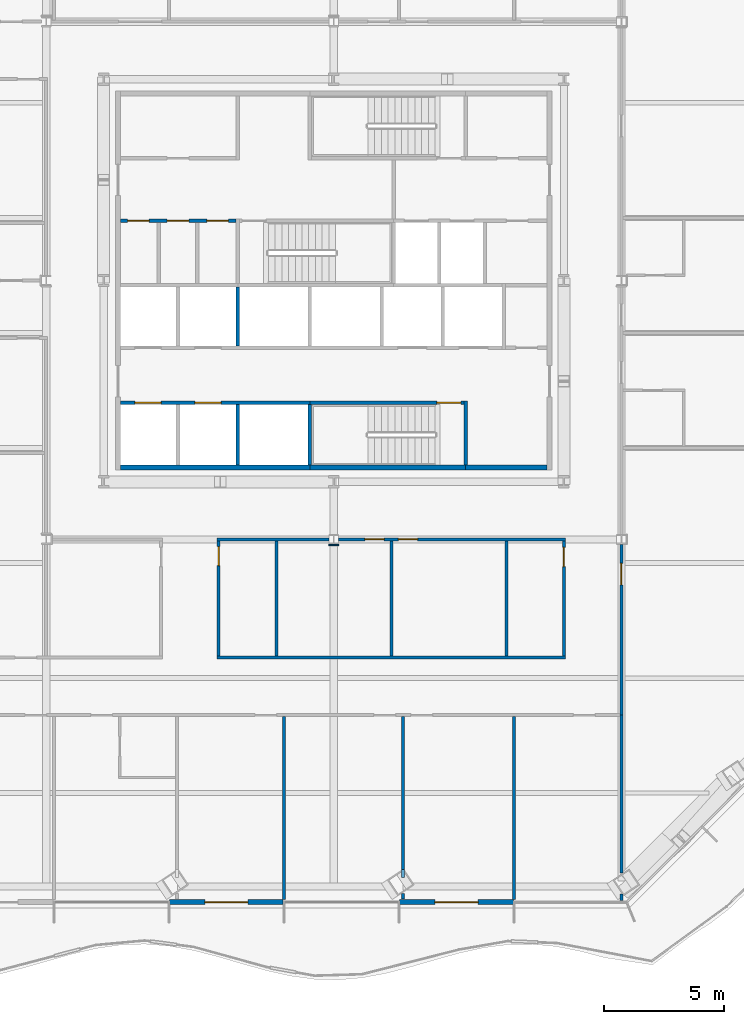
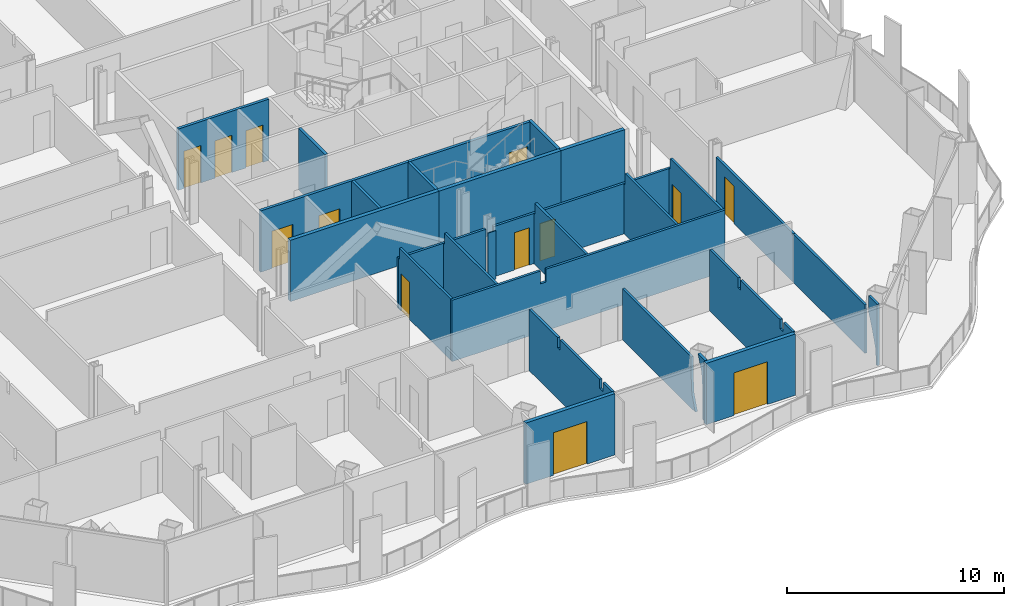
# One storey, part 8 of 19: 28 walls, 13 doors, 13 openings.
"""IFC4 building model written with IfcOpenShell, lengths in metres."""

import ifcopenshell
import ifcopenshell.guid

model = None  # the IFC model being written
_history = None  # IfcOwnerHistory: only IFC2X3 demands one
_inside = {}  # id of a spatial element -> (the spatial element, [elements in it])
_under = {}  # id of a project, library or spatial element -> (it, [spatial elements below it])
_declared = {}  # id of a project -> (the project, [libraries it declares])
_typed = {}  # id of a type object -> (the type object, [elements of that type])
_made_of = {}  # id of a material, layer set ... -> (it, [elements and type objects made of it])


def new_model(schema):
    """Start an empty IFC model of exactly this schema.

    Asked for "IFC4X3", IfcOpenShell would pick the latest addendum, in which some entities
    have other attributes; the version numbers below select the first issue.
    IFC2X3 requires an IfcOwnerHistory on every rooted entity: one is made here for all.
    """
    global model, _history
    if schema == "IFC4X3":
        model = ifcopenshell.file(schema_version=(4, 3, 0, 0))
    else:
        model = ifcopenshell.file(schema=schema)
    _inside.clear()
    _under.clear()
    _declared.clear()
    _typed.clear()
    _made_of.clear()
    _history = None
    if model.schema == "IFC2X3":
        org = make("IfcOrganization", Name="unknown")
        user = make(
            "IfcPersonAndOrganization",
            ThePerson=make("IfcPerson", FamilyName="unknown"),
            TheOrganization=org,
        )
        app = make(
            "IfcApplication",
            ApplicationDeveloper=org,
            Version="unknown",
            ApplicationFullName="unknown",
            ApplicationIdentifier="unknown",
        )
        _history = make(
            "IfcOwnerHistory",
            OwningUser=user,
            OwningApplication=app,
            ChangeAction="ADDED",
            CreationDate=0,
        )
    return model


def make(cls, **values):
    """One entity of the class cls with the attributes given. An attribute that is None is left unset."""
    return model.create_entity(
        cls, **{name: value for name, value in values.items() if value is not None}
    )


def rooted(cls, **values):
    """An entity with a GlobalId (a new one), such as an element, a storey or a relation."""
    return make(cls, GlobalId=ifcopenshell.guid.new(), OwnerHistory=_history, **values)


def si_unit(unit_type, name, prefix=None):
    """IfcSIUnit, for example si_unit("LENGTHUNIT", "METRE", prefix="MILLI")."""
    return make("IfcSIUnit", UnitType=unit_type, Prefix=prefix, Name=name)


def assignment(units):
    """IfcUnitAssignment: the units of a project."""
    return None if units is None else make("IfcUnitAssignment", Units=units)


def point(xyz):
    """IfcCartesianPoint."""
    return None if xyz is None else make("IfcCartesianPoint", Coordinates=xyz)


def direction(xyz):
    """IfcDirection."""
    return None if xyz is None else make("IfcDirection", DirectionRatios=xyz)


def frame(location, z_axis=None, x_axis=None):
    """IfcAxis2Placement3D, a coordinate frame: its origin and axes. An axis left out is left unset."""
    return make(
        "IfcAxis2Placement3D",
        Location=point(location),
        Axis=direction(z_axis),
        RefDirection=direction(x_axis),
    )


def frame_2d(location, x_axis=None):
    """IfcAxis2Placement2D, a coordinate frame in the plane: its origin and x axis."""
    return make(
        "IfcAxis2Placement2D", Location=point(location), RefDirection=direction(x_axis)
    )


def origin():
    """The frame at (0, 0, 0) with its axes left unset."""
    return frame((0.0, 0.0, 0.0))


def place(relative_to, where):
    """IfcLocalPlacement: puts the frame where relative to a parent placement (None: the world)."""
    return make(
        "IfcLocalPlacement", PlacementRelTo=relative_to, RelativePlacement=where
    )


def context(
    kind, dimensions, precision=None, world=None, true_north=None, identifier=None
):
    """IfcGeometricRepresentationContext, for example the 3D "Model" context."""
    return make(
        "IfcGeometricRepresentationContext",
        ContextIdentifier=identifier,
        ContextType=kind,
        CoordinateSpaceDimension=dimensions,
        Precision=precision,
        WorldCoordinateSystem=world,
        TrueNorth=true_north,
    )


def subcontext(parent, identifier, kind, view, scale=None):
    """IfcGeometricRepresentationSubContext, for example "Body" below "Model"."""
    return make(
        "IfcGeometricRepresentationSubContext",
        ContextIdentifier=identifier,
        ContextType=kind,
        ParentContext=parent,
        TargetScale=scale,
        TargetView=view,
    )


def project(units=None, contexts=None):
    """IfcProject with its units and contexts."""
    return rooted(
        "IfcProject",
        Name="project",
        RepresentationContexts=contexts,
        UnitsInContext=assignment(units),
    )


def spatial(cls, under=None, at=None, **own):
    """A site, building, storey or space (cls), placed at a placement, below another one or the project."""
    s = rooted(cls, ObjectPlacement=at, **own)
    if under is not None:
        _under.setdefault(under.id(), (under, []))[1].append(s)
    return s


def polyline(points):
    """IfcPolyline through the points."""
    return make("IfcPolyline", Points=[point(p) for p in points])


def profile(cls, at=None, kind="AREA", **sizes):
    """A parametric profile (cls). Its sizes go by their IFC names, for example OverallWidth=200.0."""
    return make(cls, ProfileType=kind, Position=at, **sizes)


def rectangle(**sizes):
    """IfcRectangleProfileDef."""
    return profile("IfcRectangleProfileDef", **sizes)


def outline(outer, holes=None, kind="AREA"):
    """IfcArbitraryClosedProfileDef: a profile drawn as a closed curve; with holes, ...WithVoids."""
    if holes is None:
        return make("IfcArbitraryClosedProfileDef", ProfileType=kind, OuterCurve=outer)
    return make(
        "IfcArbitraryProfileDefWithVoids",
        ProfileType=kind,
        OuterCurve=outer,
        InnerCurves=holes,
    )


def extrude(swept, where, along, depth):
    """IfcExtrudedAreaSolid: the profile swept, set in the frame where, extruded along a direction by depth."""
    return make(
        "IfcExtrudedAreaSolid",
        SweptArea=swept,
        Position=where,
        ExtrudedDirection=direction(along),
        Depth=depth,
    )


def shape(context_of_items, identifier, shape_type, items):
    """IfcShapeRepresentation: the items that make up one representation, for example the "Body"."""
    return make(
        "IfcShapeRepresentation",
        ContextOfItems=context_of_items,
        RepresentationIdentifier=identifier,
        RepresentationType=shape_type,
        Items=items,
    )


def material(Name=None, Category=None):
    """IfcMaterial."""
    return make("IfcMaterial", Name=Name, Category=Category)


def layer(
    of_material, thickness, ventilated=None, Name=None, Category=None, Priority=None
):
    """IfcMaterialLayer: one layer of a wall or slab, of a material (None: an air gap)."""
    return make(
        "IfcMaterialLayer",
        Material=of_material,
        LayerThickness=thickness,
        IsVentilated=ventilated,
        Name=Name,
        Category=Category,
        Priority=Priority,
    )


def layer_set(layers, Name=None):
    """IfcMaterialLayerSet."""
    return make("IfcMaterialLayerSet", MaterialLayers=layers, LayerSetName=Name)


def made_of(thing, what):
    """Note that an element or type object is made of a material, layer set ...; save() writes the relation."""
    if what is not None:
        _made_of.setdefault(what.id(), (what, []))[1].append(thing)
    return thing


def type_object(cls, material=None, **own):
    """A type object (cls), such as IfcWallType, which elements share."""
    return made_of(rooted(cls, **own), material)


def element(
    cls,
    number,
    at=None,
    inside=None,
    cuts=None,
    type_object=None,
    material=None,
    context=None,
    identifier="Body",
    shape_type=None,
    held_by="IfcProductDefinitionShape",
    body=None,
    shapes=None,
    **own,
):
    """One element of the class cls, such as IfcWall. Its Tag is "e" and its number.

    at: its placement. inside: the storey or other place that contains it. cuts: it is an
    opening in that element (IfcRelVoidsElement). A single representation is given by context,
    identifier, shape_type and body (its items); several are given by shapes. held_by: the class
    of the entity that holds the representations. save() writes the other relations.
    """
    e = rooted(cls, Tag="e%d" % number, ObjectPlacement=at, **own)
    if body is not None:
        shapes = [shape(context, identifier, shape_type, body)]
    if shapes is not None:
        e.Representation = make(held_by, Representations=shapes)
    if inside is not None:
        _inside.setdefault(inside.id(), (inside, []))[1].append(e)
    if cuts is not None:
        rooted(
            "IfcRelVoidsElement", RelatingBuildingElement=cuts, RelatedOpeningElement=e
        )
    if type_object is not None:
        _typed.setdefault(type_object.id(), (type_object, []))[1].append(e)
    return made_of(e, material)


def fill(opening, filler):
    """IfcRelFillsElement: the door or window that sits in an opening."""
    return rooted(
        "IfcRelFillsElement",
        RelatingOpeningElement=opening,
        RelatedBuildingElement=filler,
    )


def aggregate(whole, parts):
    """IfcRelAggregates: a whole, such as a stair, and the parts it consists of."""
    return rooted("IfcRelAggregates", RelatingObject=whole, RelatedObjects=parts)


def save(model, path):
    """Write the relations noted so far, then the file.

    IfcRelAggregates (storeys below a building ...), IfcRelContainedInSpatialStructure (elements
    in a storey), IfcRelDefinesByType, IfcRelAssociatesMaterial and IfcRelDeclares: one each for
    every whole, place, type object, material and project.
    """
    for whole, parts in _under.values():
        aggregate(whole, parts)
    for where, things in _inside.values():
        rooted(
            "IfcRelContainedInSpatialStructure",
            RelatedElements=things,
            RelatingStructure=where,
        )
    for kind, things in _typed.values():
        rooted("IfcRelDefinesByType", RelatedObjects=things, RelatingType=kind)
    for what, things in _made_of.values():
        rooted("IfcRelAssociatesMaterial", RelatedObjects=things, RelatingMaterial=what)
    for by, libraries in _declared.values():
        rooted("IfcRelDeclares", RelatingContext=by, RelatedDefinitions=libraries)
    model.write(path)


model = new_model("IFC4")

# Units and contexts
model_context = context("Model", 3, precision=1e-05, world=origin(), true_north=direction((0.0, 1.0)))
body_context = subcontext(model_context, "Body", "Model", "MODEL_VIEW")
ifc_project = project(units=[si_unit("LENGTHUNIT", "METRE"), si_unit("AREAUNIT", "SQUARE_METRE"), si_unit("VOLUMEUNIT", "CUBIC_METRE"), si_unit("PLANEANGLEUNIT", "RADIAN"), si_unit("MASSUNIT", "GRAM", prefix="KILO")], contexts=[model_context])

# Site, building, storey
site_placement = place(None, origin())
site = spatial("IfcSite", under=ifc_project, at=site_placement, CompositionType="ELEMENT")
building_placement = place(site_placement, origin())
building = spatial("IfcBuilding", under=site, at=building_placement, Name="Cairn Pilgrim Tower", CompositionType="ELEMENT")
storey_placement = place(building_placement, frame((0.0, 0.0, 90.60009765625)))
storey = spatial("IfcBuildingStorey", under=building, at=storey_placement, Name="L21", CompositionType="ELEMENT", Elevation=90.60009765625)

# Wall, opening, door
ifc_material_1 = material(Name="Bronze anodised aluminium insulated sandwich panel with mineral wool fill", Category="aluminium")
ifc_layer_1 = layer(ifc_material_1, 0.199951171875)
ifc_layer_set_1 = layer_set([ifc_layer_1], Name="BRONZE INFILL FRAME WALL 200")
wall_type_1 = type_object("IfcWallType", Name="BRONZE INFILL FRAME WALL 200", PredefinedType="NOTDEFINED", material=ifc_layer_set_1)
wall_1_placement = place(storey_placement, frame((0.3505859375, -23.536376953125, 0.0), z_axis=(0.0, 0.0, 1.0), x_axis=(1.0, 0.0, 0.0)))
wall_1 = element("IfcWall", 1, at=wall_1_placement, inside=storey, type_object=wall_type_1, Name="Bronze infill frame wall IW-S5", PredefinedType="NOTDEFINED", context=body_context, shape_type="SweptSolid", body=[
    extrude(rectangle(XDim=4.739990234375, YDim=0.199951171875, at=frame_2d((2.3701171875, 0.0))), origin(), (0.0, 0.0, 1.0), 3.449951171875),
])
opening_1_placement = place(wall_1_placement, frame((1.469482421875, 0.0, 0.0)))
opening_1 = element("IfcOpeningElement", 2, at=opening_1_placement, cuts=wall_1, Name="Opening 2105B", PredefinedType="OPENING", context=body_context, shape_type="SweptSolid", body=[
    extrude(rectangle(XDim=1.800048828125, YDim=2.39990234375, at=frame_2d((0.89990234375, 1.199951171875))), frame((0.0, 0.10986328125, 0.0), z_axis=(0.0, -1.0, 0.0), x_axis=(1.0, 0.0, 0.0)), (0.0, 0.0, 1.0), 0.219970703125),
])
ifc_material_2 = material(Name="Bronze anodised aluminium frame with tinted low-E glass", Category="aluminium")
door_type_1 = type_object("IfcDoorType", Name="BALCONY SLIDING DOOR 1800x2400", OperationType="DOUBLE_DOOR_SLIDING", PredefinedType="DOOR", material=ifc_material_2)
door_1_placement = place(opening_1_placement, origin())
door_1 = element("IfcDoor", 3, at=door_1_placement, inside=storey, type_object=door_type_1, Name="Balcony sliding door 2105B", OperationType="SINGLE_SWING_LEFT", OverallHeight=2.39990234375, OverallWidth=1.800048828125, PredefinedType="DOOR", context=body_context, shape_type="SweptSolid", body=[
    extrude(rectangle(XDim=1.800048828125, YDim=2.39990234375, at=frame_2d((0.89990234375, 1.199951171875))), frame((0.0, 0.02490234375, 0.0), z_axis=(0.0, -1.0, 0.0), x_axis=(1.0, 0.0, 0.0)), (0.0, 0.0, 1.0), 0.050048828125),
])
fill(opening_1, door_1)

wall_2_placement = place(storey_placement, frame((9.950439453125, -23.536376953125, 0.0), z_axis=(0.0, 0.0, 1.0), x_axis=(1.0, 0.0, 0.0)))
wall_2 = element("IfcWall", 4, at=wall_2_placement, inside=storey, type_object=wall_type_1, Name="Bronze infill frame wall IW-S7", PredefinedType="NOTDEFINED", context=body_context, shape_type="SweptSolid", body=[
    extrude(rectangle(XDim=4.739990234375, YDim=0.199951171875, at=frame_2d((2.3701171875, 0.0))), origin(), (0.0, 0.0, 1.0), 3.449951171875),
])
opening_2_placement = place(wall_2_placement, frame((1.469482421875, 0.0, 0.0)))
opening_2 = element("IfcOpeningElement", 5, at=opening_2_placement, cuts=wall_2, Name="Opening 2107B", PredefinedType="OPENING", context=body_context, shape_type="SweptSolid", body=[
    extrude(rectangle(XDim=1.800048828125, YDim=2.39990234375, at=frame_2d((0.89990234375, 1.199951171875))), frame((0.0, 0.10986328125, 0.0), z_axis=(0.0, -1.0, 0.0), x_axis=(1.0, 0.0, 0.0)), (0.0, 0.0, 1.0), 0.219970703125),
])
door_2_placement = place(opening_2_placement, origin())
door_2 = element("IfcDoor", 6, at=door_2_placement, inside=storey, type_object=door_type_1, Name="Balcony sliding door 2107B", OperationType="SINGLE_SWING_LEFT", OverallHeight=2.39990234375, OverallWidth=1.800048828125, PredefinedType="DOOR", context=body_context, shape_type="SweptSolid", body=[
    extrude(rectangle(XDim=1.800048828125, YDim=2.39990234375, at=frame_2d((0.89990234375, 1.199951171875))), frame((0.0, 0.02490234375, 0.0), z_axis=(0.0, -1.0, 0.0), x_axis=(1.0, 0.0, 0.0)), (0.0, 0.0, 1.0), 0.050048828125),
])
fill(opening_2, door_2)

# Walls
ifc_material_3 = material(Name="Concrete C32/40", Category="concrete")
ifc_layer_2 = layer(ifc_material_3, 0.199951171875)
ifc_layer_set_2 = layer_set([ifc_layer_2], Name="CORE OUTER WALL 200 EI 120")
wall_type_2 = type_object("IfcWallType", Name="CORE OUTER WALL 200 EI 120", PredefinedType="SOLIDWALL", material=ifc_layer_set_2)
wall_3_placement = place(storey_placement, frame((-1.699951171875, -5.39990234375, 0.0), z_axis=(0.0, 0.0, 1.0), x_axis=(1.0, 0.0, 0.0)))
element("IfcWall", 7, at=wall_3_placement, inside=storey, type_object=wall_type_2, Name="CW:L21:H01-1", PredefinedType="SOLIDWALL", context=body_context, shape_type="SweptSolid", body=[
    extrude(rectangle(XDim=7.89990234375, YDim=0.199951171875, at=frame_2d((3.949951171875, 0.0))), origin(), (0.0, 0.0, 1.0), 3.449951171875),
])
wall_4_placement = place(storey_placement, frame((12.699951171875, -5.39990234375, 0.0), z_axis=(0.0, 0.0, 1.0), x_axis=(1.0, 0.0, 0.0)))
element("IfcWall", 8, at=wall_4_placement, inside=storey, type_object=wall_type_2, Name="CW:L21:H01-3", PredefinedType="SOLIDWALL", context=body_context, shape_type="SweptSolid", body=[
    extrude(rectangle(XDim=3.400146484375, YDim=0.199951171875, at=frame_2d((1.7001953125, 0.0))), origin(), (0.0, 0.0, 1.0), 3.449951171875),
])

# Wall, openings, doors
ifc_layer_3 = layer(ifc_material_3, 0.14990234375)
ifc_layer_set_3 = layer_set([ifc_layer_3], Name="CORE PARTITION 150 EI 60")
wall_type_3 = type_object("IfcWallType", Name="CORE PARTITION 150 EI 60", PredefinedType="PARTITIONING", material=ifc_layer_set_3)
wall_5_placement = place(storey_placement, frame((-1.699951171875, 4.89990234375, 0.0), z_axis=(0.0, 0.0, 1.0), x_axis=(1.0, 0.0, 0.0)))
wall_5 = element("IfcWall", 9, at=wall_5_placement, inside=storey, type_object=wall_type_3, Name="CW:L21:H07", PredefinedType="PARTITIONING", context=body_context, shape_type="SweptSolid", body=[
    extrude(rectangle(XDim=4.824951171875, YDim=0.14990234375, at=frame_2d((2.41259765625, 0.0))), origin(), (0.0, 0.0, 1.0), 3.449951171875),
])
opening_3_placement = place(wall_5_placement, frame((0.300048828125, 0.0, 0.0)))
opening_3 = element("IfcOpeningElement", 10, at=opening_3_placement, cuts=wall_5, Name="Opening RD-R3W1", PredefinedType="OPENING", context=body_context, shape_type="SweptSolid", body=[
    extrude(rectangle(XDim=0.89990234375, YDim=2.10009765625, at=frame_2d((0.449951171875, 1.050048828125))), frame((0.0, 0.0849609375, 0.0), z_axis=(0.0, -1.0, 0.0), x_axis=(1.0, 0.0, 0.0)), (0.0, 0.0, 1.0), 0.169921875),
])
opening_4_placement = place(wall_5_placement, frame((1.949951171875, 0.0, 0.0)))
opening_4 = element("IfcOpeningElement", 11, at=opening_4_placement, cuts=wall_5, Name="Opening RD-R3W2", PredefinedType="OPENING", context=body_context, shape_type="SweptSolid", body=[
    extrude(rectangle(XDim=0.89990234375, YDim=2.10009765625, at=frame_2d((0.449951171875, 1.050048828125))), frame((0.0, 0.0849609375, 0.0), z_axis=(0.0, -1.0, 0.0), x_axis=(1.0, 0.0, 0.0)), (0.0, 0.0, 1.0), 0.169921875),
])
opening_5_placement = place(wall_5_placement, frame((3.60009765625, 0.0, 0.0)))
opening_5 = element("IfcOpeningElement", 12, at=opening_5_placement, cuts=wall_5, Name="Opening RD-R3W3", PredefinedType="OPENING", context=body_context, shape_type="SweptSolid", body=[
    extrude(rectangle(XDim=0.89990234375, YDim=2.10009765625, at=frame_2d((0.449951171875, 1.050048828125))), frame((0.0, 0.0849609375, 0.0), z_axis=(0.0, -1.0, 0.0), x_axis=(1.0, 0.0, 0.0)), (0.0, 0.0, 1.0), 0.169921875),
])
ifc_material_4 = material(Name="Painted steel", Category="steel")
door_type_2 = type_object("IfcDoorType", Name="SERVICE ROOM DOOR 900x2100", OperationType="SINGLE_SWING_LEFT", PredefinedType="DOOR", material=ifc_material_4)
door_3_placement = place(opening_3_placement, origin())
door_3 = element("IfcDoor", 13, at=door_3_placement, inside=storey, type_object=door_type_2, Name="RD-R3W1", OperationType="SINGLE_SWING_RIGHT", OverallHeight=2.10009765625, OverallWidth=0.89990234375, PredefinedType="DOOR", context=body_context, shape_type="SweptSolid", body=[
    extrude(rectangle(XDim=0.89990234375, YDim=2.10009765625, at=frame_2d((0.449951171875, 1.050048828125))), frame((0.0, 0.02490234375, 0.0), z_axis=(0.0, -1.0, 0.0), x_axis=(1.0, 0.0, 0.0)), (0.0, 0.0, 1.0), 0.050048828125),
])
fill(opening_3, door_3)
door_4_placement = place(opening_4_placement, origin())
door_4 = element("IfcDoor", 14, at=door_4_placement, inside=storey, type_object=door_type_2, Name="RD-R3W2", OperationType="SINGLE_SWING_LEFT", OverallHeight=2.10009765625, OverallWidth=0.89990234375, PredefinedType="DOOR", context=body_context, shape_type="SweptSolid", body=[
    extrude(rectangle(XDim=0.89990234375, YDim=2.10009765625, at=frame_2d((0.449951171875, 1.050048828125))), frame((0.0, 0.02490234375, 0.0), z_axis=(0.0, -1.0, 0.0), x_axis=(1.0, 0.0, 0.0)), (0.0, 0.0, 1.0), 0.050048828125),
])
fill(opening_4, door_4)
door_5_placement = place(opening_5_placement, origin())
door_5 = element("IfcDoor", 15, at=door_5_placement, inside=storey, type_object=door_type_2, Name="RD-R3W3", OperationType="SINGLE_SWING_RIGHT", OverallHeight=2.10009765625, OverallWidth=0.89990234375, PredefinedType="DOOR", context=body_context, shape_type="SweptSolid", body=[
    extrude(rectangle(XDim=0.89990234375, YDim=2.10009765625, at=frame_2d((0.449951171875, 1.050048828125))), frame((0.0, 0.02490234375, 0.0), z_axis=(0.0, -1.0, 0.0), x_axis=(1.0, 0.0, 0.0)), (0.0, 0.0, 1.0), 0.050048828125),
])
fill(opening_5, door_5)

ifc_layer_4 = layer(ifc_material_3, 0.14990234375)
ifc_layer_set_4 = layer_set([ifc_layer_4], Name="CORE SHAFT WALL 150 EI 120")
wall_type_4 = type_object("IfcWallType", Name="CORE SHAFT WALL 150 EI 120", PredefinedType="SOLIDWALL", material=ifc_layer_set_4)
wall_6_placement = place(storey_placement, frame((-1.699951171875, -2.699951171875, 0.0), z_axis=(0.0, 0.0, 1.0), x_axis=(1.0, 0.0, 0.0)))
wall_6 = element("IfcWall", 16, at=wall_6_placement, inside=storey, type_object=wall_type_4, Name="CW:L21:H02-1", PredefinedType="SOLIDWALL", context=body_context, shape_type="SweptSolid", body=[
    extrude(rectangle(XDim=7.89990234375, YDim=0.14990234375, at=frame_2d((3.949951171875, 0.0))), origin(), (0.0, 0.0, 1.0), 3.449951171875),
])
opening_6_placement = place(wall_6_placement, frame((0.60009765625, 0.0, 0.0)))
opening_6 = element("IfcOpeningElement", 17, at=opening_6_placement, cuts=wall_6, Name="Opening LD-LR1", PredefinedType="OPENING", context=body_context, shape_type="SweptSolid", body=[
    extrude(rectangle(XDim=1.10009765625, YDim=2.10009765625, at=frame_2d((0.550048828125, 1.050048828125))), frame((0.0, 0.0849609375, 0.0), z_axis=(0.0, -1.0, 0.0), x_axis=(1.0, 0.0, 0.0)), (0.0, 0.0, 1.0), 0.169921875),
])
opening_7_placement = place(wall_6_placement, frame((3.10009765625, 0.0, 0.0)))
opening_7 = element("IfcOpeningElement", 18, at=opening_7_placement, cuts=wall_6, Name="Opening LD-LR2", PredefinedType="OPENING", context=body_context, shape_type="SweptSolid", body=[
    extrude(rectangle(XDim=1.10009765625, YDim=2.10009765625, at=frame_2d((0.550048828125, 1.050048828125))), frame((0.0, 0.0849609375, 0.0), z_axis=(0.0, -1.0, 0.0), x_axis=(1.0, 0.0, 0.0)), (0.0, 0.0, 1.0), 0.169921875),
])
ifc_material_5 = material(Name="Stainless steel", Category="steel")
door_type_3 = type_object("IfcDoorType", Name="LIFT LANDING DOOR 1100x2100", OperationType="DOUBLE_DOOR_SLIDING", PredefinedType="DOOR", material=ifc_material_5)
door_6_placement = place(opening_6_placement, origin())
door_6 = element("IfcDoor", 19, at=door_6_placement, inside=storey, type_object=door_type_3, Name="LANDING DOOR LR1", OperationType="DOUBLE_DOOR_SLIDING", OverallHeight=2.10009765625, OverallWidth=1.10009765625, PredefinedType="DOOR", context=body_context, shape_type="SweptSolid", body=[
    extrude(rectangle(XDim=1.10009765625, YDim=2.10009765625, at=frame_2d((0.550048828125, 1.050048828125))), frame((0.0, 0.02490234375, 0.0), z_axis=(0.0, -1.0, 0.0), x_axis=(1.0, 0.0, 0.0)), (0.0, 0.0, 1.0), 0.050048828125),
])
fill(opening_6, door_6)
door_7_placement = place(opening_7_placement, origin())
door_7 = element("IfcDoor", 20, at=door_7_placement, inside=storey, type_object=door_type_3, Name="LANDING DOOR LR2", OperationType="DOUBLE_DOOR_SLIDING", OverallHeight=2.10009765625, OverallWidth=1.10009765625, PredefinedType="DOOR", context=body_context, shape_type="SweptSolid", body=[
    extrude(rectangle(XDim=1.10009765625, YDim=2.10009765625, at=frame_2d((0.550048828125, 1.050048828125))), frame((0.0, 0.02490234375, 0.0), z_axis=(0.0, -1.0, 0.0), x_axis=(1.0, 0.0, 0.0)), (0.0, 0.0, 1.0), 0.050048828125),
])
fill(opening_7, door_7)

# Walls
wall_7_placement = place(storey_placement, frame((3.199951171875, -5.300048828125, 0.0), z_axis=(0.0, 0.0, 1.0), x_axis=(0.0, 1.0, 0.0)))
element("IfcWall", 21, at=wall_7_placement, inside=storey, type_object=wall_type_4, Name="CW:L21:V17", PredefinedType="SOLIDWALL", context=body_context, shape_type="SweptSolid", body=[
    extrude(rectangle(XDim=2.525146484375, YDim=0.14990234375, at=frame_2d((1.2626953125, 0.0))), origin(), (0.0, 0.0, 1.0), 3.449951171875),
])
wall_8_placement = place(storey_placement, frame((3.199951171875, -0.324951171875, 0.0), z_axis=(0.0, 0.0, 1.0), x_axis=(0.0, 1.0, 0.0)))
element("IfcWall", 22, at=wall_8_placement, inside=storey, type_object=wall_type_4, Name="CW:L21:V18", PredefinedType="SOLIDWALL", context=body_context, shape_type="SweptSolid", body=[
    extrude(rectangle(XDim=2.449951171875, YDim=0.14990234375, at=frame_2d((1.22509765625, 0.0))), origin(), (0.0, 0.0, 1.0), 3.449951171875),
])
ifc_material_6 = material(Name="Gypsum partition")
ifc_layer_5 = layer(ifc_material_6, 0.125)
ifc_layer_set_5 = layer_set([ifc_layer_5], Name="PARTITION 125 DRYWALL EI 60")
wall_type_5 = type_object("IfcWallType", Name="PARTITION 125 DRYWALL EI 60", PredefinedType="PARTITIONING", material=ifc_layer_set_5)
wall_9_placement = place(storey_placement, frame((19.199951171875, -23.476318359375, 0.0), z_axis=(0.0, 0.0, 1.0), x_axis=(0.0, 1.0, 0.0)))
element("IfcWall", 23, at=wall_9_placement, inside=storey, type_object=wall_type_5, Name="PARTITION W002", PredefinedType="PARTITIONING", context=body_context, shape_type="SweptSolid", body=[
    extrude(outline(polyline([(0.0, 0.0), (0.1025390625, 0.0), (0.158447265625, 0.8623046875), (0.4541015625, 1.724853515625), (0.811279296875, 2.58740234375), (0.811279296875, 3.449951171875), (0.0, 3.449951171875), (0.0, 2.58740234375), (0.0, 1.724853515625), (0.0, 0.8623046875), (0.0, 0.0)])), frame((0.0, 0.0625, 0.0), z_axis=(0.0, -1.0, 0.0), x_axis=(1.0, 0.0, 0.0)), (0.0, 0.0, 1.0), 0.125),
])
wall_10_placement = place(storey_placement, frame((5.1201171875, -23.436279296875, 0.0), z_axis=(0.0, 0.0, 1.0), x_axis=(0.0, 1.0, 0.0)))
element("IfcWall", 24, at=wall_10_placement, inside=storey, type_object=wall_type_5, Name="PARTITION W006", PredefinedType="PARTITIONING", context=body_context, shape_type="SweptSolid", body=[
    extrude(outline(polyline([(0.0, 0.0), (7.6376953125, 0.0), (7.6376953125, 3.449951171875), (5.013671875, 3.449951171875), (5.01171875, 2.8798828125), (4.8037109375, 2.8798828125), (4.801513671875, 3.449951171875), (1.15869140625, 3.449951171875), (1.156494140625, 2.929931640625), (0.858642578125, 2.929931640625), (0.856689453125, 3.449951171875), (0.0, 3.449951171875), (0.0, 0.0)])), frame((0.0, 0.0625, 0.0), z_axis=(0.0, -1.0, 0.0), x_axis=(1.0, 0.0, 0.0)), (0.0, 0.0, 1.0), 0.125),
])
wall_11_placement = place(storey_placement, frame((10.077880859375, -23.40625, 0.0), z_axis=(0.0, 0.0, 1.0), x_axis=(0.0, 1.0, 0.0)))
element("IfcWall", 25, at=wall_11_placement, inside=storey, type_object=wall_type_5, Name="PARTITION W007", PredefinedType="PARTITIONING", context=body_context, shape_type="SweptSolid", body=[
    extrude(outline(polyline([(0.0, 0.0), (0.226806640625, 0.0), (0.226806640625, 0.8623046875), (0.226806640625, 1.724853515625), (0.308349609375, 2.58740234375), (0.660888671875, 3.449951171875), (0.0, 3.449951171875), (0.0, 2.58740234375), (0.0, 1.724853515625), (0.0, 0.8623046875), (0.0, 0.0)])), frame((0.0, 0.0625, 0.0), z_axis=(0.0, -1.0, 0.0), x_axis=(1.0, 0.0, 0.0)), (0.0, 0.0, 1.0), 0.125),
])
wall_12_placement = place(storey_placement, frame((14.719970703125, -23.436279296875, 0.0), z_axis=(0.0, 0.0, 1.0), x_axis=(0.0, 1.0, 0.0)))
element("IfcWall", 26, at=wall_12_placement, inside=storey, type_object=wall_type_5, Name="PARTITION W008", PredefinedType="PARTITIONING", context=body_context, shape_type="SweptSolid", body=[
    extrude(outline(polyline([(0.0, 0.0), (7.6376953125, 0.0), (7.6376953125, 3.449951171875), (5.013671875, 3.449951171875), (5.01171875, 2.8798828125), (4.8037109375, 2.8798828125), (4.801513671875, 3.449951171875), (1.15869140625, 3.449951171875), (1.156494140625, 2.929931640625), (0.858642578125, 2.929931640625), (0.856689453125, 3.449951171875), (0.0, 3.449951171875), (0.0, 0.0)])), frame((0.0, 0.0625, 0.0), z_axis=(0.0, -1.0, 0.0), x_axis=(1.0, 0.0, 0.0)), (0.0, 0.0, 1.0), 0.125),
])
wall_13_placement = place(storey_placement, frame((10.077880859375, -22.50634765625, 0.0), z_axis=(0.0, 0.0, 1.0), x_axis=(0.0, 1.0, 0.0)))
element("IfcWall", 27, at=wall_13_placement, inside=storey, type_object=wall_type_5, Name="PARTITION W011", PredefinedType="PARTITIONING", context=body_context, shape_type="SweptSolid", body=[
    extrude(outline(polyline([(0.0, 0.0), (6.7080078125, 0.0), (6.7080078125, 0.8623046875), (6.7080078125, 1.724853515625), (6.7080078125, 2.58740234375), (6.7080078125, 2.8798828125), (0.371826171875, 2.8798828125), (0.371826171875, 2.58740234375), (0.371826171875, 1.724853515625), (0.3095703125, 0.8623046875), (0.0, 0.0)])), frame((0.0, 0.0625, 0.0), z_axis=(0.0, -1.0, 0.0), x_axis=(1.0, 0.0, 0.0)), (0.0, 0.0, 1.0), 0.125),
])
wall_14_placement = place(storey_placement, frame((19.199951171875, -22.3291015625, 0.0), z_axis=(0.0, 0.0, 1.0), x_axis=(0.0, 1.0, 0.0)))
element("IfcWall", 28, at=wall_14_placement, inside=storey, type_object=wall_type_5, Name="PARTITION W012", PredefinedType="PARTITIONING", context=body_context, shape_type="SweptSolid", body=[
    extrude(outline(polyline([(0.0, 0.0), (6.593017578125, 0.0), (6.593017578125, 0.8623046875), (6.593017578125, 1.724853515625), (6.593017578125, 2.58740234375), (6.593017578125, 2.72998046875), (0.0, 2.72998046875), (0.0, 2.58740234375), (0.0, 1.724853515625), (0.0, 0.8623046875), (0.0, 0.0)])), frame((0.0, 0.0625, 0.0), z_axis=(0.0, -1.0, 0.0), x_axis=(1.0, 0.0, 0.0)), (0.0, 0.0, 1.0), 0.125),
])

# Wall, opening, door
wall_15_placement = place(storey_placement, frame((19.199951171875, -15.736083984375, 0.0), z_axis=(0.0, 0.0, 1.0), x_axis=(0.0, 1.0, 0.0)))
wall_15 = element("IfcWall", 29, at=wall_15_placement, inside=storey, type_object=wall_type_5, Name="PARTITION W021", PredefinedType="PARTITIONING", context=body_context, shape_type="SweptSolid", body=[
    extrude(rectangle(XDim=7.12353515625, YDim=0.125, at=frame_2d((3.561767578125, 0.0))), origin(), (0.0, 0.0, 1.0), 2.72998046875),
])
opening_8_placement = place(wall_15_placement, frame((5.43603515625, 0.0, 0.0)))
opening_8 = element("IfcOpeningElement", 30, at=opening_8_placement, cuts=wall_15, Name="Opening 2121", PredefinedType="OPENING", context=body_context, shape_type="SweptSolid", body=[
    extrude(rectangle(XDim=0.89990234375, YDim=2.10009765625, at=frame_2d((0.449951171875, 1.050048828125))), frame((0.0, 0.072509765625, 0.0), z_axis=(0.0, -1.0, 0.0), x_axis=(1.0, 0.0, 0.0)), (0.0, 0.0, 1.0), 0.14501953125),
])
ifc_material_7 = material(Name="Steel-faced fire door leaf", Category="steel")
door_type_4 = type_object("IfcDoorType", Name="FIRE DOOR 900x2100 FD30S", OperationType="NOTDEFINED", PredefinedType="DOOR", material=ifc_material_7)
door_8_placement = place(opening_8_placement, frame((0.89990234375, 0.0, 0.0), z_axis=(0.0, 0.0, 1.0), x_axis=(-1.0, 0.0, 0.0)))
door_8 = element("IfcDoor", 31, at=door_8_placement, inside=storey, type_object=door_type_4, Name="DOOR 2121", OperationType="SINGLE_SWING_RIGHT", OverallHeight=2.10009765625, OverallWidth=0.89990234375, PredefinedType="DOOR", context=body_context, shape_type="SweptSolid", body=[
    extrude(rectangle(XDim=0.89990234375, YDim=2.10009765625, at=frame_2d((0.449951171875, 1.050048828125))), frame((0.0, 0.02490234375, 0.0), z_axis=(0.0, -1.0, 0.0), x_axis=(1.0, 0.0, 0.0)), (0.0, 0.0, 1.0), 0.050048828125),
])
fill(opening_8, door_8)

# Wall
wall_16_placement = place(storey_placement, frame((2.33740234375, -13.3359375, 0.0), z_axis=(0.0, 0.0, 1.0), x_axis=(1.0, 0.0, 0.0)))
element("IfcWall", 32, at=wall_16_placement, inside=storey, type_object=wall_type_5, Name="PARTITION W027", PredefinedType="PARTITIONING", context=body_context, shape_type="SweptSolid", body=[
    extrude(outline(polyline([(0.0, 0.0), (14.525146484375, 0.0), (14.52490234375, 3.449951171875), (5.012451171875, 3.449951171875), (5.010498046875, 2.72998046875), (4.71240234375, 2.72998046875), (4.71044921875, 3.449951171875), (0.0, 3.449951171875), (0.0, 0.0)])), frame((0.0, 0.0625, 0.0), z_axis=(0.0, -1.0, 0.0), x_axis=(1.0, 0.0, 0.0)), (0.0, 0.0, 1.0), 0.125),
])

# Wall, opening, door
wall_17_placement = place(storey_placement, frame((2.39990234375, -13.2734375, 0.0), z_axis=(0.0, 0.0, 1.0), x_axis=(0.0, 1.0, 0.0)))
wall_17 = element("IfcWall", 33, at=wall_17_placement, inside=storey, type_object=wall_type_5, Name="PARTITION W028", PredefinedType="PARTITIONING", context=body_context, shape_type="SweptSolid", body=[
    extrude(outline(polyline([(0.0, 0.0), (4.81103515625, 0.0), (4.81103515625, 2.829833984375), (4.723388671875, 2.829833984375), (4.721435546875, 3.449951171875), (0.0, 3.449951171875), (0.0, 0.0)])), frame((0.0, 0.0625, 0.0), z_axis=(0.0, -1.0, 0.0), x_axis=(1.0, 0.0, 0.0)), (0.0, 0.0, 1.0), 0.125),
])
opening_9_placement = place(wall_17_placement, frame((3.7734375, 0.0, 0.0)))
opening_9 = element("IfcOpeningElement", 34, at=opening_9_placement, cuts=wall_17, Name="Opening 2132", PredefinedType="OPENING", context=body_context, shape_type="SweptSolid", body=[
    extrude(rectangle(XDim=0.800048828125, YDim=2.10009765625, at=frame_2d((0.39990234375, 1.050048828125))), frame((0.0, 0.072509765625, 0.0), z_axis=(0.0, -1.0, 0.0), x_axis=(1.0, 0.0, 0.0)), (0.0, 0.0, 1.0), 0.14501953125),
])
door_type_5 = type_object("IfcDoorType", Name="FIRE DOOR 800x2100 FD30S", OperationType="NOTDEFINED", PredefinedType="DOOR", material=ifc_material_7)
door_9_placement = place(opening_9_placement, frame((0.800048828125, 0.0, 0.0), z_axis=(0.0, 0.0, 1.0), x_axis=(-1.0, 0.0, 0.0)))
door_9 = element("IfcDoor", 35, at=door_9_placement, inside=storey, type_object=door_type_5, Name="DOOR 2132", OperationType="SINGLE_SWING_LEFT", OverallHeight=2.10009765625, OverallWidth=0.800048828125, PredefinedType="DOOR", context=body_context, shape_type="SweptSolid", body=[
    extrude(rectangle(XDim=0.800048828125, YDim=2.10009765625, at=frame_2d((0.39990234375, 1.050048828125))), frame((0.0, 0.02490234375, 0.0), z_axis=(0.0, -1.0, 0.0), x_axis=(1.0, 0.0, 0.0)), (0.0, 0.0, 1.0), 0.050048828125),
])
fill(opening_9, door_9)

# Walls
for number, where, z_axis, x_axis, name in (
    (36, (4.800048828125, -13.2734375, 0.0), (0.0, 0.0, 1.0), (0.0, 1.0, 0.0), "PARTITION W029"),
    (37, (9.60009765625, -13.2734375, 0.0), (0.0, 0.0, 1.0), (0.0, 1.0, 0.0), "PARTITION W030"),
    (38, (14.39990234375, -13.2734375, 0.0), (0.0, 0.0, 1.0), (0.0, 1.0, 0.0), "PARTITION W031"),
):
    element("IfcWall", number, at=place(storey_placement, frame(where, z_axis=z_axis, x_axis=x_axis)), inside=storey, type_object=wall_type_5, Name=name, PredefinedType="PARTITIONING", context=body_context, shape_type="SweptSolid", body=[
        extrude(outline(polyline([(0.0, 0.0), (4.81103515625, 0.0), (4.81103515625, 2.829833984375), (4.723388671875, 2.829833984375), (4.721435546875, 3.449951171875), (0.0, 3.449951171875), (0.0, 0.0)])), frame((0.0, 0.0625, 0.0), z_axis=(0.0, -1.0, 0.0), x_axis=(1.0, 0.0, 0.0)), (0.0, 0.0, 1.0), 0.125),
    ])

# Wall, opening, door
wall_18_placement = place(storey_placement, frame((16.800048828125, -13.2734375, 0.0), z_axis=(0.0, 0.0, 1.0), x_axis=(0.0, 1.0, 0.0)))
wall_18 = element("IfcWall", 39, at=wall_18_placement, inside=storey, type_object=wall_type_5, Name="PARTITION W032", PredefinedType="PARTITIONING", context=body_context, shape_type="SweptSolid", body=[
    extrude(outline(polyline([(0.0, 0.0), (4.81103515625, 0.0), (4.81103515625, 2.829833984375), (4.723388671875, 2.829833984375), (4.721435546875, 3.449951171875), (0.0, 3.449951171875), (0.0, 0.0)])), frame((0.0, 0.0625, 0.0), z_axis=(0.0, -1.0, 0.0), x_axis=(1.0, 0.0, 0.0)), (0.0, 0.0, 1.0), 0.125),
])
opening_10_placement = place(wall_18_placement, frame((3.737548828125, 0.0, 0.0)))
opening_10 = element("IfcOpeningElement", 40, at=opening_10_placement, cuts=wall_18, Name="Opening 2135", PredefinedType="OPENING", context=body_context, shape_type="SweptSolid", body=[
    extrude(rectangle(XDim=0.800048828125, YDim=2.10009765625, at=frame_2d((0.39990234375, 1.050048828125))), frame((0.0, 0.072509765625, 0.0), z_axis=(0.0, -1.0, 0.0), x_axis=(1.0, 0.0, 0.0)), (0.0, 0.0, 1.0), 0.14501953125),
])
door_10_placement = place(opening_10_placement, origin())
door_10 = element("IfcDoor", 41, at=door_10_placement, inside=storey, type_object=door_type_5, Name="DOOR 2135", OperationType="SINGLE_SWING_RIGHT", OverallHeight=2.10009765625, OverallWidth=0.800048828125, PredefinedType="DOOR", context=body_context, shape_type="SweptSolid", body=[
    extrude(rectangle(XDim=0.800048828125, YDim=2.10009765625, at=frame_2d((0.39990234375, 1.050048828125))), frame((0.0, 0.02490234375, 0.0), z_axis=(0.0, -1.0, 0.0), x_axis=(1.0, 0.0, 0.0)), (0.0, 0.0, 1.0), 0.050048828125),
])
fill(opening_10, door_10)

# Wall
wall_19_placement = place(storey_placement, frame((2.33740234375, -8.39990234375, 0.0), z_axis=(0.0, 0.0, 1.0), x_axis=(1.0, 0.0, 0.0)))
element("IfcWall", 42, at=wall_19_placement, inside=storey, type_object=wall_type_5, Name="PARTITION W035", PredefinedType="PARTITIONING", context=body_context, shape_type="SweptSolid", body=[
    extrude(rectangle(XDim=4.658203125, YDim=0.125, at=frame_2d((2.3291015625, 0.0))), origin(), (0.0, 0.0, 1.0), 2.829833984375),
])

# Wall, openings, doors
wall_20_placement = place(storey_placement, frame((7.404541015625, -8.39990234375, 0.0), z_axis=(0.0, 0.0, 1.0), x_axis=(1.0, 0.0, 0.0)))
wall_20 = element("IfcWall", 43, at=wall_20_placement, inside=storey, type_object=wall_type_5, Name="PARTITION W036", PredefinedType="PARTITIONING", context=body_context, shape_type="SweptSolid", body=[
    extrude(rectangle(XDim=9.4580078125, YDim=0.125, at=frame_2d((4.72900390625, 0.0))), origin(), (0.0, 0.0, 1.0), 2.829833984375),
])
opening_11_placement = place(wall_20_placement, frame((1.095458984375, 0.0, 0.0)))
opening_11 = element("IfcOpeningElement", 44, at=opening_11_placement, cuts=wall_20, Name="Opening 2133", PredefinedType="OPENING", context=body_context, shape_type="SweptSolid", body=[
    extrude(rectangle(XDim=0.800048828125, YDim=2.10009765625, at=frame_2d((0.39990234375, 1.050048828125))), frame((0.0, 0.072509765625, 0.0), z_axis=(0.0, -1.0, 0.0), x_axis=(1.0, 0.0, 0.0)), (0.0, 0.0, 1.0), 0.14501953125),
])
opening_12_placement = place(wall_20_placement, frame((2.49560546875, 0.0, 0.0)))
opening_12 = element("IfcOpeningElement", 45, at=opening_12_placement, cuts=wall_20, Name="Opening 2134", PredefinedType="OPENING", context=body_context, shape_type="SweptSolid", body=[
    extrude(rectangle(XDim=0.800048828125, YDim=2.10009765625, at=frame_2d((0.39990234375, 1.050048828125))), frame((0.0, 0.072509765625, 0.0), z_axis=(0.0, -1.0, 0.0), x_axis=(1.0, 0.0, 0.0)), (0.0, 0.0, 1.0), 0.14501953125),
])
door_11_placement = place(opening_11_placement, frame((0.800048828125, 0.0, 0.0), z_axis=(0.0, 0.0, 1.0), x_axis=(-1.0, 0.0, 0.0)))
door_11 = element("IfcDoor", 46, at=door_11_placement, inside=storey, type_object=door_type_5, Name="DOOR 2133", OperationType="SINGLE_SWING_RIGHT", OverallHeight=2.10009765625, OverallWidth=0.800048828125, PredefinedType="DOOR", context=body_context, shape_type="SweptSolid", body=[
    extrude(rectangle(XDim=0.800048828125, YDim=2.10009765625, at=frame_2d((0.39990234375, 1.050048828125))), frame((0.0, 0.02490234375, 0.0), z_axis=(0.0, -1.0, 0.0), x_axis=(1.0, 0.0, 0.0)), (0.0, 0.0, 1.0), 0.050048828125),
])
fill(opening_11, door_11)
door_12_placement = place(opening_12_placement, frame((0.800048828125, 0.0, 0.0), z_axis=(0.0, 0.0, 1.0), x_axis=(-1.0, 0.0, 0.0)))
door_12 = element("IfcDoor", 47, at=door_12_placement, inside=storey, type_object=door_type_5, Name="DOOR 2134", OperationType="SINGLE_SWING_LEFT", OverallHeight=2.10009765625, OverallWidth=0.800048828125, PredefinedType="DOOR", context=body_context, shape_type="SweptSolid", body=[
    extrude(rectangle(XDim=0.800048828125, YDim=2.10009765625, at=frame_2d((0.39990234375, 1.050048828125))), frame((0.0, 0.02490234375, 0.0), z_axis=(0.0, -1.0, 0.0), x_axis=(1.0, 0.0, 0.0)), (0.0, 0.0, 1.0), 0.050048828125),
])
fill(opening_12, door_12)

# Wall
ifc_layer_6 = layer(ifc_material_6, 0.050048828125)
ifc_layer_set_6 = layer_set([ifc_layer_6], Name="PARTITION 50 DRYWALL EI 60")
wall_type_6 = type_object("IfcWallType", Name="PARTITION 50 DRYWALL EI 60", PredefinedType="PARTITIONING", material=ifc_layer_set_6)
wall_21_placement = place(storey_placement, frame((6.99560546875, -8.637451171875, 0.0), z_axis=(0.0, 0.0, 1.0), x_axis=(1.0, 0.0, 0.0)))
element("IfcWall", 48, at=wall_21_placement, inside=storey, type_object=wall_type_6, Name="COLUMN CASING WC09", PredefinedType="PARTITIONING", context=body_context, shape_type="SweptSolid", body=[
    extrude(rectangle(XDim=0.408935546875, YDim=0.050048828125, at=frame_2d((0.20458984375, 0.0))), origin(), (0.0, 0.0, 1.0), 2.72998046875),
])

# Wall, opening, door
ifc_material_8 = material(Name="Concrete C35/45", Category="concrete")
ifc_layer_7 = layer(ifc_material_8, 0.14990234375)
ifc_layer_set_7 = layer_set([ifc_layer_7], Name="STAIR SHAFT WALL 150 EI 120")
wall_type_7 = type_object("IfcWallType", Name="STAIR SHAFT WALL 150 EI 120", PredefinedType="SOLIDWALL", material=ifc_layer_set_7)
wall_22_placement = place(storey_placement, frame((6.199951171875, -2.699951171875, 0.0), z_axis=(0.0, 0.0, 1.0), x_axis=(1.0, 0.0, 0.0)))
wall_22 = element("IfcWall", 49, at=wall_22_placement, inside=storey, type_object=wall_type_7, Name="CW:L21:H02-2", PredefinedType="SOLIDWALL", context=body_context, shape_type="SweptSolid", body=[
    extrude(rectangle(XDim=6.425048828125, YDim=0.14990234375, at=frame_2d((3.21240234375, 0.0))), origin(), (0.0, 0.0, 1.0), 3.449951171875),
])
opening_13_placement = place(wall_22_placement, frame((5.300048828125, 0.0, 0.0)))
opening_13 = element("IfcOpeningElement", 50, at=opening_13_placement, cuts=wall_22, Name="Opening SD-A", PredefinedType="OPENING", context=body_context, shape_type="SweptSolid", body=[
    extrude(rectangle(XDim=1.0, YDim=2.10009765625, at=frame_2d((0.5, 1.050048828125))), frame((0.0, 0.0849609375, 0.0), z_axis=(0.0, -1.0, 0.0), x_axis=(1.0, 0.0, 0.0)), (0.0, 0.0, 1.0), 0.169921875),
])
door_type_6 = type_object("IfcDoorType", Name="STAIR DOOR FD60S 1000x2100", OperationType="SINGLE_SWING_LEFT", PredefinedType="DOOR", material=ifc_material_4)
door_13_placement = place(opening_13_placement, origin())
door_13 = element("IfcDoor", 51, at=door_13_placement, inside=storey, type_object=door_type_6, Name="SD-A", OperationType="SINGLE_SWING_RIGHT", OverallHeight=2.10009765625, OverallWidth=1.0, PredefinedType="DOOR", context=body_context, shape_type="SweptSolid", body=[
    extrude(rectangle(XDim=1.0, YDim=2.10009765625, at=frame_2d((0.5, 1.050048828125))), frame((0.0, 0.02490234375, 0.0), z_axis=(0.0, -1.0, 0.0), x_axis=(1.0, 0.0, 0.0)), (0.0, 0.0, 1.0), 0.050048828125),
])
fill(opening_13, door_13)

# Walls
wall_23_placement = place(storey_placement, frame((6.199951171875, -5.300048828125, 0.0), z_axis=(0.0, 0.0, 1.0), x_axis=(0.0, 1.0, 0.0)))
element("IfcWall", 52, at=wall_23_placement, inside=storey, type_object=wall_type_7, Name="CW:L21:V21", PredefinedType="SOLIDWALL", context=body_context, shape_type="SweptSolid", body=[
    extrude(rectangle(XDim=2.525146484375, YDim=0.14990234375, at=frame_2d((1.2626953125, 0.0))), origin(), (0.0, 0.0, 1.0), 3.449951171875),
])
wall_24_placement = place(storey_placement, frame((12.699951171875, -5.300048828125, 0.0), z_axis=(0.0, 0.0, 1.0), x_axis=(0.0, 1.0, 0.0)))
element("IfcWall", 53, at=wall_24_placement, inside=storey, type_object=wall_type_7, Name="CW:L21:V29", PredefinedType="SOLIDWALL", context=body_context, shape_type="SweptSolid", body=[
    extrude(rectangle(XDim=2.675048828125, YDim=0.14990234375, at=frame_2d((1.33740234375, 0.0))), origin(), (0.0, 0.0, 1.0), 3.449951171875),
])
ifc_layer_8 = layer(ifc_material_8, 0.199951171875)
ifc_layer_set_8 = layer_set([ifc_layer_8], Name="STAIR SHAFT WALL 200 EI 120")
wall_type_8 = type_object("IfcWallType", Name="STAIR SHAFT WALL 200 EI 120", PredefinedType="SOLIDWALL", material=ifc_layer_set_8)
wall_25_placement = place(storey_placement, frame((6.199951171875, -5.39990234375, 0.0), z_axis=(0.0, 0.0, 1.0), x_axis=(1.0, 0.0, 0.0)))
element("IfcWall", 54, at=wall_25_placement, inside=storey, type_object=wall_type_8, Name="CW:L21:H01-2", PredefinedType="SOLIDWALL", context=body_context, shape_type="SweptSolid", body=[
    extrude(rectangle(XDim=6.5, YDim=0.199951171875, at=frame_2d((3.25, 0.0))), origin(), (0.0, 0.0, 1.0), 3.449951171875),
])

save(model, "model.ifc")
